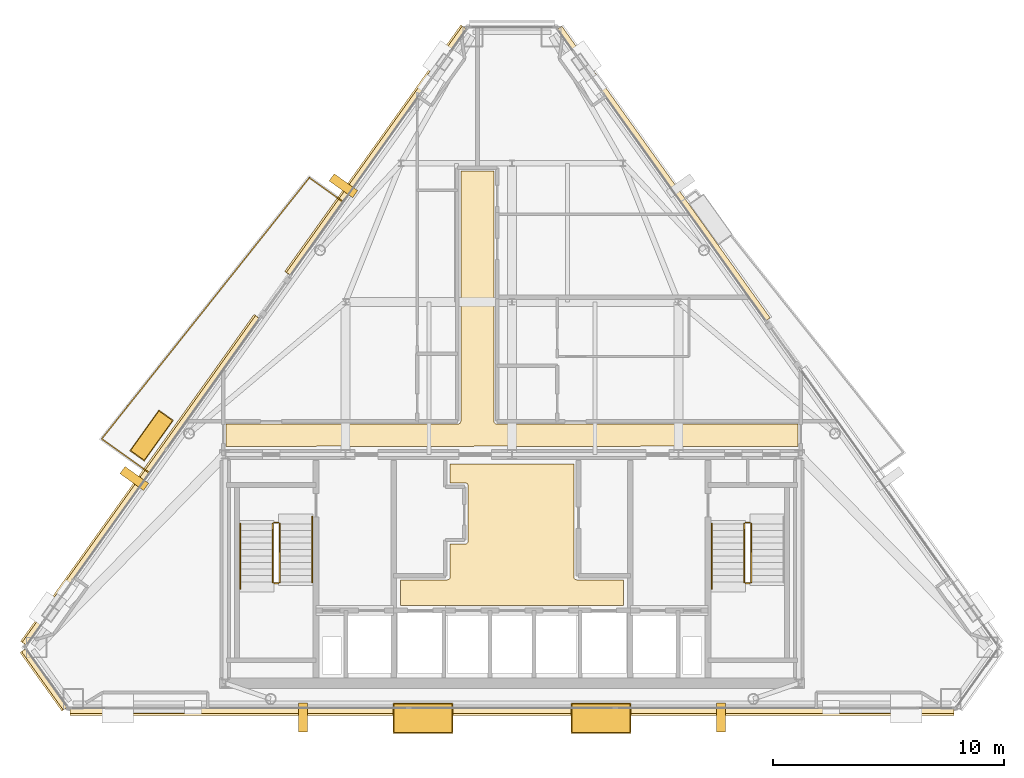
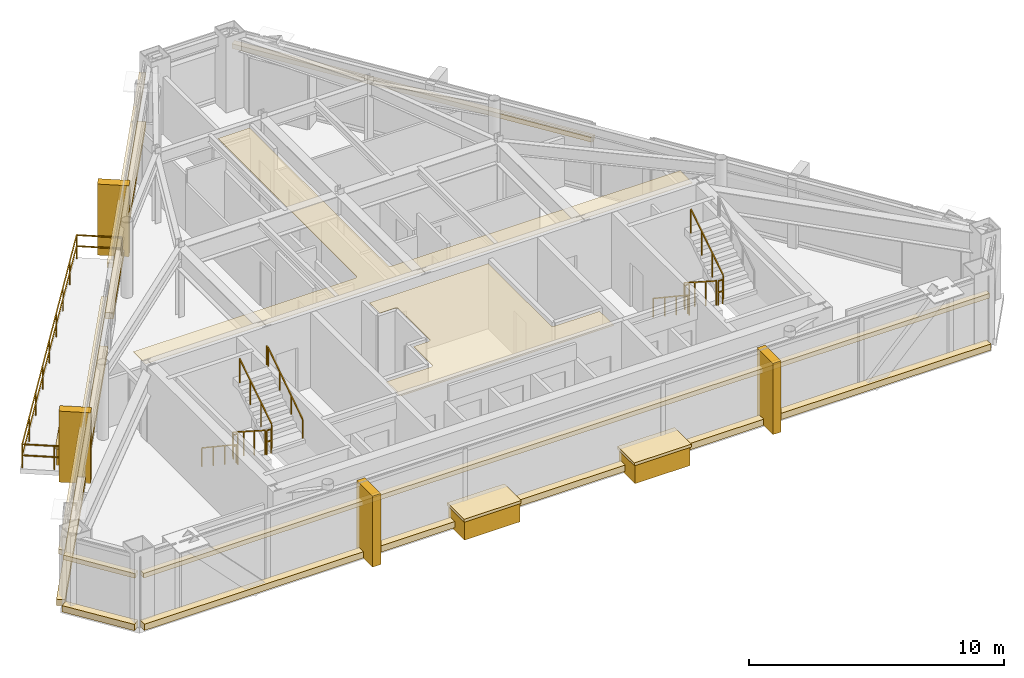
# One storey, part 11 of 12: 21 coverings, 12 railings.
"""IFC4 building model written with IfcOpenShell, lengths in metres."""

import ifcopenshell
import ifcopenshell.guid

model = None  # the IFC model being written
_history = None  # IfcOwnerHistory: only IFC2X3 demands one
_inside = {}  # id of a spatial element -> (the spatial element, [elements in it])
_under = {}  # id of a project, library or spatial element -> (it, [spatial elements below it])
_declared = {}  # id of a project -> (the project, [libraries it declares])
_typed = {}  # id of a type object -> (the type object, [elements of that type])
_made_of = {}  # id of a material, layer set ... -> (it, [elements and type objects made of it])


def new_model(schema):
    """Start an empty IFC model of exactly this schema.

    Asked for "IFC4X3", IfcOpenShell would pick the latest addendum, in which some entities
    have other attributes; the version numbers below select the first issue.
    IFC2X3 requires an IfcOwnerHistory on every rooted entity: one is made here for all.
    """
    global model, _history
    if schema == "IFC4X3":
        model = ifcopenshell.file(schema_version=(4, 3, 0, 0))
    else:
        model = ifcopenshell.file(schema=schema)
    _inside.clear()
    _under.clear()
    _declared.clear()
    _typed.clear()
    _made_of.clear()
    _history = None
    if model.schema == "IFC2X3":
        org = make("IfcOrganization", Name="unknown")
        user = make(
            "IfcPersonAndOrganization",
            ThePerson=make("IfcPerson", FamilyName="unknown"),
            TheOrganization=org,
        )
        app = make(
            "IfcApplication",
            ApplicationDeveloper=org,
            Version="unknown",
            ApplicationFullName="unknown",
            ApplicationIdentifier="unknown",
        )
        _history = make(
            "IfcOwnerHistory",
            OwningUser=user,
            OwningApplication=app,
            ChangeAction="ADDED",
            CreationDate=0,
        )
    return model


def make(cls, **values):
    """One entity of the class cls with the attributes given. An attribute that is None is left unset."""
    return model.create_entity(
        cls, **{name: value for name, value in values.items() if value is not None}
    )


def rooted(cls, **values):
    """An entity with a GlobalId (a new one), such as an element, a storey or a relation."""
    return make(cls, GlobalId=ifcopenshell.guid.new(), OwnerHistory=_history, **values)


def si_unit(unit_type, name, prefix=None):
    """IfcSIUnit, for example si_unit("LENGTHUNIT", "METRE", prefix="MILLI")."""
    return make("IfcSIUnit", UnitType=unit_type, Prefix=prefix, Name=name)


def assignment(units):
    """IfcUnitAssignment: the units of a project."""
    return None if units is None else make("IfcUnitAssignment", Units=units)


def point(xyz):
    """IfcCartesianPoint."""
    return None if xyz is None else make("IfcCartesianPoint", Coordinates=xyz)


def direction(xyz):
    """IfcDirection."""
    return None if xyz is None else make("IfcDirection", DirectionRatios=xyz)


def frame(location, z_axis=None, x_axis=None):
    """IfcAxis2Placement3D, a coordinate frame: its origin and axes. An axis left out is left unset."""
    return make(
        "IfcAxis2Placement3D",
        Location=point(location),
        Axis=direction(z_axis),
        RefDirection=direction(x_axis),
    )


def frame_2d(location, x_axis=None):
    """IfcAxis2Placement2D, a coordinate frame in the plane: its origin and x axis."""
    return make(
        "IfcAxis2Placement2D", Location=point(location), RefDirection=direction(x_axis)
    )


def origin():
    """The frame at (0, 0, 0) with its axes left unset."""
    return frame((0.0, 0.0, 0.0))


def origin_2d():
    """The frame at (0, 0) in the plane with its x axis left unset."""
    return frame_2d((0.0, 0.0))


def place(relative_to, where):
    """IfcLocalPlacement: puts the frame where relative to a parent placement (None: the world)."""
    return make(
        "IfcLocalPlacement", PlacementRelTo=relative_to, RelativePlacement=where
    )


def context(
    kind, dimensions, precision=None, world=None, true_north=None, identifier=None
):
    """IfcGeometricRepresentationContext, for example the 3D "Model" context."""
    return make(
        "IfcGeometricRepresentationContext",
        ContextIdentifier=identifier,
        ContextType=kind,
        CoordinateSpaceDimension=dimensions,
        Precision=precision,
        WorldCoordinateSystem=world,
        TrueNorth=true_north,
    )


def subcontext(parent, identifier, kind, view, scale=None):
    """IfcGeometricRepresentationSubContext, for example "Body" below "Model"."""
    return make(
        "IfcGeometricRepresentationSubContext",
        ContextIdentifier=identifier,
        ContextType=kind,
        ParentContext=parent,
        TargetScale=scale,
        TargetView=view,
    )


def project(units=None, contexts=None):
    """IfcProject with its units and contexts."""
    return rooted(
        "IfcProject",
        Name="project",
        RepresentationContexts=contexts,
        UnitsInContext=assignment(units),
    )


def spatial(cls, under=None, at=None, **own):
    """A site, building, storey or space (cls), placed at a placement, below another one or the project."""
    s = rooted(cls, ObjectPlacement=at, **own)
    if under is not None:
        _under.setdefault(under.id(), (under, []))[1].append(s)
    return s


def polyline(points):
    """IfcPolyline through the points."""
    return make("IfcPolyline", Points=[point(p) for p in points])


def profile(cls, at=None, kind="AREA", **sizes):
    """A parametric profile (cls). Its sizes go by their IFC names, for example OverallWidth=200.0."""
    return make(cls, ProfileType=kind, Position=at, **sizes)


def rectangle(**sizes):
    """IfcRectangleProfileDef."""
    return profile("IfcRectangleProfileDef", **sizes)


def outline(outer, holes=None, kind="AREA"):
    """IfcArbitraryClosedProfileDef: a profile drawn as a closed curve; with holes, ...WithVoids."""
    if holes is None:
        return make("IfcArbitraryClosedProfileDef", ProfileType=kind, OuterCurve=outer)
    return make(
        "IfcArbitraryProfileDefWithVoids",
        ProfileType=kind,
        OuterCurve=outer,
        InnerCurves=holes,
    )


def extrude(swept, where, along, depth):
    """IfcExtrudedAreaSolid: the profile swept, set in the frame where, extruded along a direction by depth."""
    return make(
        "IfcExtrudedAreaSolid",
        SweptArea=swept,
        Position=where,
        ExtrudedDirection=direction(along),
        Depth=depth,
    )


def shape(context_of_items, identifier, shape_type, items):
    """IfcShapeRepresentation: the items that make up one representation, for example the "Body"."""
    return make(
        "IfcShapeRepresentation",
        ContextOfItems=context_of_items,
        RepresentationIdentifier=identifier,
        RepresentationType=shape_type,
        Items=items,
    )


def material(Name=None, Category=None):
    """IfcMaterial."""
    return make("IfcMaterial", Name=Name, Category=Category)


def layer(
    of_material, thickness, ventilated=None, Name=None, Category=None, Priority=None
):
    """IfcMaterialLayer: one layer of a wall or slab, of a material (None: an air gap)."""
    return make(
        "IfcMaterialLayer",
        Material=of_material,
        LayerThickness=thickness,
        IsVentilated=ventilated,
        Name=Name,
        Category=Category,
        Priority=Priority,
    )


def layer_set(layers, Name=None):
    """IfcMaterialLayerSet."""
    return make("IfcMaterialLayerSet", MaterialLayers=layers, LayerSetName=Name)


def made_of(thing, what):
    """Note that an element or type object is made of a material, layer set ...; save() writes the relation."""
    if what is not None:
        _made_of.setdefault(what.id(), (what, []))[1].append(thing)
    return thing


def type_object(cls, material=None, **own):
    """A type object (cls), such as IfcWallType, which elements share."""
    return made_of(rooted(cls, **own), material)


def element(
    cls,
    number,
    at=None,
    inside=None,
    cuts=None,
    type_object=None,
    material=None,
    context=None,
    identifier="Body",
    shape_type=None,
    held_by="IfcProductDefinitionShape",
    body=None,
    shapes=None,
    **own,
):
    """One element of the class cls, such as IfcWall. Its Tag is "e" and its number.

    at: its placement. inside: the storey or other place that contains it. cuts: it is an
    opening in that element (IfcRelVoidsElement). A single representation is given by context,
    identifier, shape_type and body (its items); several are given by shapes. held_by: the class
    of the entity that holds the representations. save() writes the other relations.
    """
    e = rooted(cls, Tag="e%d" % number, ObjectPlacement=at, **own)
    if body is not None:
        shapes = [shape(context, identifier, shape_type, body)]
    if shapes is not None:
        e.Representation = make(held_by, Representations=shapes)
    if inside is not None:
        _inside.setdefault(inside.id(), (inside, []))[1].append(e)
    if cuts is not None:
        rooted(
            "IfcRelVoidsElement", RelatingBuildingElement=cuts, RelatedOpeningElement=e
        )
    if type_object is not None:
        _typed.setdefault(type_object.id(), (type_object, []))[1].append(e)
    return made_of(e, material)


def aggregate(whole, parts):
    """IfcRelAggregates: a whole, such as a stair, and the parts it consists of."""
    return rooted("IfcRelAggregates", RelatingObject=whole, RelatedObjects=parts)


def save(model, path):
    """Write the relations noted so far, then the file.

    IfcRelAggregates (storeys below a building ...), IfcRelContainedInSpatialStructure (elements
    in a storey), IfcRelDefinesByType, IfcRelAssociatesMaterial and IfcRelDeclares: one each for
    every whole, place, type object, material and project.
    """
    for whole, parts in _under.values():
        aggregate(whole, parts)
    for where, things in _inside.values():
        rooted(
            "IfcRelContainedInSpatialStructure",
            RelatedElements=things,
            RelatingStructure=where,
        )
    for kind, things in _typed.values():
        rooted("IfcRelDefinesByType", RelatedObjects=things, RelatingType=kind)
    for what, things in _made_of.values():
        rooted("IfcRelAssociatesMaterial", RelatedObjects=things, RelatingMaterial=what)
    for by, libraries in _declared.values():
        rooted("IfcRelDeclares", RelatingContext=by, RelatedDefinitions=libraries)
    model.write(path)


model = new_model("IFC4")

# Units and contexts
model_context = context("Model", 3, precision=1e-05, world=origin(), true_north=direction((0.0, 1.0)))
body_context = subcontext(model_context, "Body", "Model", "MODEL_VIEW")
ifc_project = project(units=[si_unit("LENGTHUNIT", "METRE"), si_unit("AREAUNIT", "SQUARE_METRE"), si_unit("VOLUMEUNIT", "CUBIC_METRE"), si_unit("PLANEANGLEUNIT", "RADIAN"), si_unit("MASSUNIT", "GRAM", prefix="KILO")], contexts=[model_context])

# Site, building, storey
site_placement = place(None, origin())
site = spatial("IfcSite", under=ifc_project, at=site_placement, CompositionType="ELEMENT")
building_placement = place(site_placement, origin())
building = spatial("IfcBuilding", under=site, at=building_placement, Name="Talgorran Terracotta Tower", CompositionType="ELEMENT")
storey_placement = place(building_placement, frame((0.0, 0.0, 277.800048828125)))
storey = spatial("IfcBuildingStorey", under=building, at=storey_placement, Name="L73", CompositionType="ELEMENT", Elevation=277.800048828125)

# Coverings
ifc_material_1 = material(Name="Kiln-Fired Terracotta Ochre Ceramic", Category="masonry")
ifc_layer_1 = layer(ifc_material_1, 0.179931640625, Name="COV_BAGUETTE_TERRACOTTA_SCREEN")
ifc_layer_set_1 = layer_set([ifc_layer_1], Name="Kiln-Fired Terracotta Ochre Ceramic")
covering_type_1 = type_object("IfcCoveringType", Name="COV_BAGUETTE_TERRACOTTA_SCREEN", PredefinedType="CLADDING", material=ifc_layer_set_1)
covering_1_placement = place(storey_placement, frame((-20.2119140625, -13.916748046875, 2.41015625), z_axis=(0.0, 0.0, 1.0), x_axis=(0.581256971997, -0.813720057824, 0.0)))
element("IfcCovering", 1, at=covering_1_placement, inside=storey, type_object=covering_type_1, Name="L73 Terracotta Baguette Solar Screen Assembly F0", PredefinedType="CLADDING", context=body_context, shape_type="SweptSolid", body=[
    extrude(rectangle(XDim=3.093994140625, YDim=0.260009765625, at=origin_2d()), origin(), (0.0, 0.0, 1.0), 0.219970703125),
])
covering_2_placement = place(storey_placement, frame((0.0, -15.2744140625, 2.41015625), z_axis=(0.0, 0.0, 1.0), x_axis=(1.0, 0.0, 0.0)))
element("IfcCovering", 2, at=covering_2_placement, inside=storey, type_object=covering_type_1, Name="L73 Terracotta Baguette Solar Screen Assembly F1", PredefinedType="CLADDING", context=body_context, shape_type="SweptSolid", body=[
    extrude(rectangle(XDim=38.240966796875, YDim=0.260009765625, at=origin_2d()), origin(), (0.0, 0.0, 1.0), 0.219970703125),
])
covering_3_placement = place(storey_placement, frame((6.556396484375, 7.947998046875, 2.41015625), z_axis=(0.0, 0.0, 1.0), x_axis=(-0.581242769814, 0.813730202548, 0.0)))
element("IfcCovering", 3, at=covering_3_placement, inside=storey, type_object=covering_type_1, Name="L73 Terracotta Baguette Solar Screen Assembly F41", PredefinedType="CLADDING", context=body_context, shape_type="SweptSolid", body=[
    extrude(rectangle(XDim=15.509033203125, YDim=0.260009765625, at=origin_2d()), origin(), (0.0, 0.0, 1.0), 0.219970703125),
])
covering_4_placement = place(storey_placement, frame((-5.853515625, 8.931884765625, 2.41015625), z_axis=(0.0, 0.0, 1.0), x_axis=(-0.581242769814, -0.813730202548, 0.0)))
element("IfcCovering", 4, at=covering_4_placement, inside=storey, type_object=covering_type_1, Name="L73 Terracotta Baguette Solar Screen Assembly F60", PredefinedType="CLADDING", context=body_context, shape_type="SweptSolid", body=[
    extrude(rectangle(XDim=13.091064453125, YDim=0.260009765625, at=origin_2d()), origin(), (0.0, 0.0, 1.0), 0.219970703125),
])
covering_5_placement = place(storey_placement, frame((-16.04150390625, -5.33056640625, 2.41015625), z_axis=(0.0, 0.0, 1.0), x_axis=(-0.581242769814, -0.813730202548, 0.0)))
element("IfcCovering", 5, at=covering_5_placement, inside=storey, type_object=covering_type_1, Name="L73 Terracotta Baguette Solar Screen Assembly F61", PredefinedType="CLADDING", context=body_context, shape_type="SweptSolid", body=[
    extrude(rectangle(XDim=17.363525390625, YDim=0.260009765625, at=origin_2d()), origin(), (0.0, 0.0, 1.0), 0.219970703125),
])
ifc_material_2 = material(Name="Mineral Fibre Acoustic Tile")
ifc_layer_2 = layer(ifc_material_2, 0.02490234375, Name="COV_CEIL_ACOUSTIC")
ifc_layer_set_2 = layer_set([ifc_layer_2], Name="Mineral Fibre Acoustic Tile")
covering_type_2 = type_object("IfcCoveringType", Name="COV_CEIL_ACOUSTIC", PredefinedType="CEILING", material=ifc_layer_set_2)
covering_6_placement = place(storey_placement, frame((0.0, 0.0, 3.2548828125)))
element("IfcCovering", 6, at=covering_6_placement, inside=storey, type_object=covering_type_2, Name="CEIL-L73-2", PredefinedType="CEILING", context=body_context, shape_type="SweptSolid", body=[
    extrude(outline(polyline([(-12.364990234375, -2.885009765625), (-2.35009765625, -2.885009765625), (-2.33837890625, -2.884521484375), (-2.32666015625, -2.8828125), (-2.3154296875, -2.8798828125), (-2.30712890625, -2.87744140625), (-2.2958984375, -2.87353515625), (-2.285400390625, -2.868408203125), (-2.275146484375, -2.8623046875), (-2.265625, -2.85546875), (-2.257080078125, -2.847412109375), (-2.2490234375, -2.8388671875), (-2.243408203125, -2.83203125), (-2.236328125, -2.822509765625), (-2.230224609375, -2.8125), (-2.225341796875, -2.8017578125), (-2.22119140625, -2.79052734375), (-2.218505859375, -2.779296875), (-2.216796875, -2.767578125), (-2.216064453125, -2.755615234375), (-2.215087890625, 8.06494140625), (-0.784912109375, 8.06494140625), (-0.784912109375, -2.75), (-0.784423828125, -2.76171875), (-0.78271484375, -2.773193359375), (-0.77978515625, -2.78466796875), (-0.77734375, -2.79296875), (-0.7734375, -2.803955078125), (-0.768310546875, -2.814697265625), (-0.762451171875, -2.82470703125), (-0.75537109375, -2.834228515625), (-0.74755859375, -2.843017578125), (-0.73876953125, -2.850830078125), (-0.73193359375, -2.8564453125), (-0.722412109375, -2.863525390625), (-0.71240234375, -2.86962890625), (-0.70166015625, -2.874755859375), (-0.690673828125, -2.878662109375), (-0.67919921875, -2.881591796875), (-0.66748046875, -2.88330078125), (-0.65576171875, -2.8837890625), (12.364990234375, -2.885009765625), (12.364990234375, -3.844970703125), (7.432861328125, -3.844970703125), (6.968017578125, -3.843017578125), (6.967529296875, -3.843017578125), (0.232666015625, -3.844970703125), (-0.23193359375, -3.843017578125), (-0.232421875, -3.843017578125), (-6.96728515625, -3.844970703125), (-7.431884765625, -3.843017578125), (-7.4326171875, -3.843017578125), (-12.364990234375, -3.844970703125), (-12.364990234375, -2.885009765625)])), origin(), (0.0, 0.0, 1.0), 0.02001953125),
])
ifc_material_3 = material(Name="Flush Moisture-Resistant Plaster")
ifc_layer_3 = layer(ifc_material_3, 0.01806640625, Name="COV_CEIL_PLASTER")
ifc_layer_set_3 = layer_set([ifc_layer_3], Name="Flush Moisture-Resistant Plaster")
covering_type_3 = type_object("IfcCoveringType", Name="COV_CEIL_PLASTER", PredefinedType="CEILING", material=ifc_layer_set_3)
covering_7_placement = place(storey_placement, frame((0.0, 0.0, 3.2548828125)))
element("IfcCovering", 7, at=covering_7_placement, inside=storey, type_object=covering_type_3, Name="CEIL-L73-1", PredefinedType="CEILING", context=body_context, shape_type="SweptSolid", body=[
    extrude(outline(polyline([(2.679931640625, -4.6201171875), (2.679931640625, -9.5), (2.6806640625, -9.51171875), (2.682373046875, -9.5234375), (2.685302734375, -9.534912109375), (2.689208984375, -9.5458984375), (2.694091796875, -9.556640625), (2.7001953125, -9.566650390625), (2.707275390625, -9.576171875), (2.715087890625, -9.5849609375), (2.723876953125, -9.5927734375), (2.7333984375, -9.599853515625), (2.743408203125, -9.605712890625), (2.754150390625, -9.61083984375), (2.76513671875, -9.61474609375), (2.776611328125, -9.61767578125), (2.7880859375, -9.619384765625), (2.800048828125, -9.6201171875), (4.830078125, -9.6201171875), (4.830078125, -10.72998046875), (-4.830078125, -10.72998046875), (-4.830078125, -9.6201171875), (-2.800048828125, -9.6201171875), (-2.7880859375, -9.619384765625), (-2.776611328125, -9.61767578125), (-2.76513671875, -9.61474609375), (-2.754150390625, -9.61083984375), (-2.743408203125, -9.605712890625), (-2.7333984375, -9.599853515625), (-2.723876953125, -9.5927734375), (-2.715087890625, -9.5849609375), (-2.707275390625, -9.576171875), (-2.7001953125, -9.566650390625), (-2.694091796875, -9.556640625), (-2.689208984375, -9.5458984375), (-2.685302734375, -9.534912109375), (-2.682373046875, -9.5234375), (-2.6806640625, -9.51171875), (-2.679931640625, -9.5), (-2.679931640625, -8.070068359375), (-2.02001953125, -8.070068359375), (-2.00830078125, -8.0693359375), (-1.99658203125, -8.067626953125), (-1.985107421875, -8.064697265625), (-1.97412109375, -8.060791015625), (-1.96337890625, -8.055908203125), (-1.953369140625, -8.0498046875), (-1.94384765625, -8.042724609375), (-1.93505859375, -8.034912109375), (-1.92724609375, -8.026123046875), (-1.920166015625, -8.0166015625), (-1.914306640625, -8.006591796875), (-1.9091796875, -7.995849609375), (-1.9052734375, -7.98486328125), (-1.90234375, -7.973388671875), (-1.900634765625, -7.9619140625), (-1.89990234375, -7.949951171875), (-1.89990234375, -5.550048828125), (-1.900634765625, -5.5380859375), (-1.90234375, -5.526611328125), (-1.9052734375, -5.51513671875), (-1.9091796875, -5.504150390625), (-1.914306640625, -5.493408203125), (-1.920166015625, -5.4833984375), (-1.92724609375, -5.473876953125), (-1.93505859375, -5.465087890625), (-1.94384765625, -5.457275390625), (-1.953369140625, -5.4501953125), (-1.96337890625, -5.444091796875), (-1.97412109375, -5.439208984375), (-1.985107421875, -5.435302734375), (-1.99658203125, -5.432373046875), (-2.00830078125, -5.4306640625), (-2.02001953125, -5.429931640625), (-2.679931640625, -5.429931640625), (-2.679931640625, -4.6201171875), (2.679931640625, -4.6201171875)])), origin(), (0.0, 0.0, 1.0), 0.02001953125),
])
ifc_material_4 = material(Name="Honed Limestone and Terracotta Planter", Category="masonry")
ifc_layer_4 = layer(ifc_material_4, 0.1201171875, Name="COV_PLANTER_BOX")
ifc_layer_set_4 = layer_set([ifc_layer_4], Name="Honed Limestone and Terracotta Planter")
covering_type_4 = type_object("IfcCoveringType", Name="COV_PLANTER_BOX", PredefinedType="CLADDING", material=ifc_layer_set_4)
for number, where, z_axis, x_axis, name in (
    (8, (-3.8505859375, -15.614501953125, -0.179931640625), (0.0, 0.0, 1.0), (1.0, 0.0, 0.0), "L73 Staggered South Facade Planter Box 1"),
    (9, (3.8505859375, -15.614501953125, -0.179931640625), (0.0, 0.0, 1.0), (1.0, 0.0, 0.0), "L73 Staggered South Facade Planter Box 2"),
):
    element("IfcCovering", number, at=place(storey_placement, frame(where, z_axis=z_axis, x_axis=x_axis)), inside=storey, type_object=covering_type_4, Name=name, PredefinedType="CLADDING", context=body_context, shape_type="SweptSolid", body=[
        extrude(rectangle(XDim=2.5, YDim=1.25, at=origin_2d()), origin(), (0.0, 0.0, 1.0), 0.919921875),
    ])
covering_8_placement = place(storey_placement, frame((-15.5947265625, -3.38037109375, -0.02001953125), z_axis=(0.0, 0.0, 1.0), x_axis=(-0.581256971997, -0.813720057824, 0.0)))
element("IfcCovering", 10, at=covering_8_placement, inside=storey, type_object=covering_type_4, Name="L73 Staggered Balcony Planter Box BAL-NW", PredefinedType="CLADDING", context=body_context, shape_type="SweptSolid", body=[
    extrude(rectangle(XDim=2.10009765625, YDim=0.719970703125, at=origin_2d()), origin(), (0.0, 0.0, 1.0), 0.860107421875),
])
ifc_material_5 = material(Name="Kiln-Fired Terracotta Planter Rim", Category="masonry")
ifc_layer_5 = layer(ifc_material_5, 0.10009765625, Name="COV_PLANTER_RIM")
ifc_layer_set_5 = layer_set([ifc_layer_5], Name="Kiln-Fired Terracotta Planter Rim")
covering_type_5 = type_object("IfcCoveringType", Name="COV_PLANTER_RIM", PredefinedType="CLADDING", material=ifc_layer_set_5)
for number, where, z_axis, x_axis, name in (
    (11, (-3.8505859375, -15.614501953125, 0.7099609375), (0.0, 0.0, 1.0), (1.0, 0.0, 0.0), "L73 South Planter Terracotta Rim 1"),
    (12, (3.8505859375, -15.614501953125, 0.7099609375), (0.0, 0.0, 1.0), (1.0, 0.0, 0.0), "L73 South Planter Terracotta Rim 2"),
):
    element("IfcCovering", number, at=place(storey_placement, frame(where, z_axis=z_axis, x_axis=x_axis)), inside=storey, type_object=covering_type_5, Name=name, PredefinedType="CLADDING", context=body_context, shape_type="SweptSolid", body=[
        extrude(rectangle(XDim=2.580078125, YDim=1.320068359375, at=origin_2d()), origin(), (0.0, 0.0, 1.0), 0.139892578125),
    ])
covering_9_placement = place(storey_placement, frame((-15.5947265625, -3.38037109375, 0.7998046875), z_axis=(0.0, 0.0, 1.0), x_axis=(-0.581256971997, -0.813720057824, 0.0)))
element("IfcCovering", 13, at=covering_9_placement, inside=storey, type_object=covering_type_5, Name="L73 Balcony Planter Terracotta Rim BAL-NW", PredefinedType="CLADDING", context=body_context, shape_type="SweptSolid", body=[
    extrude(rectangle(XDim=2.179931640625, YDim=0.780029296875, at=origin_2d()), origin(), (0.0, 0.0, 1.0), 0.1201171875),
])
ifc_material_6 = material(Name="Honed Limestone Cladding", Category="masonry")
ifc_layer_6 = layer(ifc_material_6, 0.094970703125, Name="COV_PORTAL_LIME")
ifc_layer_set_6 = layer_set([ifc_layer_6], Name="Honed Limestone Cladding")
covering_type_6 = type_object("IfcCoveringType", Name="COV_PORTAL_LIME", PredefinedType="CLADDING", material=ifc_layer_set_6)
for number, where, z_axis, x_axis, name in (
    (14, (-9.048583984375, -15.574462890625, -0.050048828125), (0.0, 0.0, 1.0), (1.0, 0.0, 0.0), "L73 White Striped Portal Fin F1-1"),
    (15, (-7.295166015625, 7.429931640625, -0.050048828125), (0.0, 0.0, 1.0), (-0.581256971997, -0.813720057824, 0.0), "L73 White Striped Portal Fin F5-1"),
):
    element("IfcCovering", number, at=place(storey_placement, frame(where, z_axis=z_axis, x_axis=x_axis)), inside=storey, type_object=covering_type_6, Name=name, PredefinedType="CLADDING", context=body_context, shape_type="SweptSolid", body=[
        extrude(rectangle(XDim=0.3798828125, YDim=1.25, at=origin_2d()), origin(), (0.0, 0.0, 1.0), 3.39501953125),
    ])
ifc_material_7 = material(Name="Kiln-Fired Terracotta Cladding", Category="masonry")
ifc_layer_7 = layer(ifc_material_7, 0.090087890625, Name="COV_PORTAL_TERRA")
ifc_layer_set_7 = layer_set([ifc_layer_7], Name="Kiln-Fired Terracotta Cladding")
covering_type_7 = type_object("IfcCoveringType", Name="COV_PORTAL_TERRA", PredefinedType="CLADDING", material=ifc_layer_set_7)
covering_10_placement = place(storey_placement, frame((-20.244384765625, -13.93994140625, -0.0400390625), z_axis=(0.0, 0.0, 1.0), x_axis=(0.581256971997, -0.813720057824, 0.0)))
element("IfcCovering", 16, at=covering_10_placement, inside=storey, type_object=covering_type_7, Name="L73 Striped Postmodern Portal Cladding Band F0", PredefinedType="CLADDING", context=body_context, shape_type="SweptSolid", body=[
    extrude(rectangle(XDim=3.114013671875, YDim=0.340087890625, at=origin_2d()), origin(), (0.0, 0.0, 1.0), 0.300048828125),
])
covering_11_placement = place(storey_placement, frame((0.0, -15.314453125, -0.0400390625), z_axis=(0.0, 0.0, 1.0), x_axis=(1.0, 0.0, 0.0)))
element("IfcCovering", 17, at=covering_11_placement, inside=storey, type_object=covering_type_7, Name="L73 Striped Postmodern Portal Cladding Band F1", PredefinedType="CLADDING", context=body_context, shape_type="SweptSolid", body=[
    extrude(rectangle(XDim=38.260986328125, YDim=0.340087890625, at=origin_2d()), origin(), (0.0, 0.0, 1.0), 0.300048828125),
])
covering_12_placement = place(storey_placement, frame((-5.88623046875, 8.955078125, -0.0400390625), z_axis=(0.0, 0.0, 1.0), x_axis=(-0.581242769814, -0.813730202548, 0.0)))
element("IfcCovering", 18, at=covering_12_placement, inside=storey, type_object=covering_type_7, Name="L73 Striped Postmodern Portal Cladding Band F60", PredefinedType="CLADDING", context=body_context, shape_type="SweptSolid", body=[
    extrude(rectangle(XDim=13.111083984375, YDim=0.340087890625, at=origin_2d()), origin(), (0.0, 0.0, 1.0), 0.300048828125),
])
covering_13_placement = place(storey_placement, frame((-16.073974609375, -5.307373046875, -0.0400390625), z_axis=(0.0, 0.0, 1.0), x_axis=(-0.581242769814, -0.813730202548, 0.0)))
element("IfcCovering", 19, at=covering_13_placement, inside=storey, type_object=covering_type_7, Name="L73 Striped Postmodern Portal Cladding Band F61", PredefinedType="CLADDING", context=body_context, shape_type="SweptSolid", body=[
    extrude(rectangle(XDim=17.383544921875, YDim=0.340087890625, at=origin_2d()), origin(), (0.0, 0.0, 1.0), 0.300048828125),
])
for number, where, z_axis, x_axis, name in (
    (20, (9.048583984375, -15.574462890625, -0.050048828125), (0.0, 0.0, 1.0), (1.0, 0.0, 0.0), "L73 Terracotta Striped Portal Fin F1-2"),
    (21, (-16.34375, -5.23779296875, -0.050048828125), (0.0, 0.0, 1.0), (-0.581256971997, -0.813720057824, 0.0), "L73 Terracotta Striped Portal Fin F5-2"),
):
    element("IfcCovering", number, at=place(storey_placement, frame(where, z_axis=z_axis, x_axis=x_axis)), inside=storey, type_object=covering_type_7, Name=name, PredefinedType="CLADDING", context=body_context, shape_type="SweptSolid", body=[
        extrude(rectangle(XDim=0.3798828125, YDim=1.25, at=origin_2d()), origin(), (0.0, 0.0, 1.0), 3.39501953125),
    ])

# Railings
ifc_material_8 = material(Name="Laminated Glass and Stainless Steel 316", Category="steel")
railing_type_1 = type_object("IfcRailingType", Name="RL_BALCONY_1150", PredefinedType="BALUSTRADE", material=ifc_material_8)
railing_1_placement = place(storey_placement, frame((-7.3212890625, 6.739501953125, 0.0)))
element("IfcRailing", 22, at=railing_1_placement, inside=storey, type_object=railing_type_1, Name="RL-L73-BAL-BAL-NW", PredefinedType="BALUSTRADE", context=body_context, shape_type="SweptSolid", body=[
    extrude(rectangle(XDim=0.048095703125, YDim=0.048095703125, at=origin_2d()), frame((0.0, 0.0, 1.1259765625), z_axis=(-0.813687151132, 0.581303036361, 0.0), x_axis=(-0.581303036361, -0.813687151132, 0.0)), (0.0, 0.0, 1.0), 1.78076171875),
    extrude(rectangle(XDim=0.048095703125, YDim=0.048095703125, at=origin_2d()), frame((0.0, 0.0, 0.597900390625), z_axis=(-0.813687151132, 0.581303036361, 0.0), x_axis=(-0.581303036361, -0.813687151132, 0.0)), (0.0, 0.0, 1.0), 1.78076171875),
    extrude(rectangle(XDim=0.048095703125, YDim=0.048095703125, at=origin_2d()), frame((-1.448974609375, 1.03515625, 1.1259765625), z_axis=(-0.62224332818, -0.782823888583, 0.0), x_axis=(0.782823888583, -0.62224332818, 0.0)), (0.0, 0.0, 1.0), 14.432861328125),
    extrude(rectangle(XDim=0.048095703125, YDim=0.048095703125, at=origin_2d()), frame((-1.448974609375, 1.03515625, 0.597900390625), z_axis=(-0.62224332818, -0.782823888583, 0.0), x_axis=(0.782823888583, -0.62224332818, 0.0)), (0.0, 0.0, 1.0), 14.432861328125),
    extrude(rectangle(XDim=0.048095703125, YDim=0.048095703125, at=origin_2d()), frame((-10.4296875, -10.26318359375, 1.1259765625), z_axis=(0.813726928848, -0.581247352912, 0.0), x_axis=(0.581247352912, 0.813726928848, 0.0)), (0.0, 0.0, 1.0), 2.521484375),
    extrude(rectangle(XDim=0.048095703125, YDim=0.048095703125, at=origin_2d()), frame((-10.4296875, -10.26318359375, 0.597900390625), z_axis=(0.813726928848, -0.581247352912, 0.0), x_axis=(0.581247352912, 0.813726928848, 0.0)), (0.0, 0.0, 1.0), 2.521484375),
    extrude(rectangle(XDim=0.0419921875, YDim=0.0419921875, at=origin_2d()), origin(), (0.0, 0.0, 1.0), 1.101806640625),
    extrude(rectangle(XDim=0.0419921875, YDim=0.0419921875, at=origin_2d()), frame((-1.448974609375, 1.03515625, 0.0)), (0.0, 0.0, 1.0), 1.101806640625),
    extrude(rectangle(XDim=0.0419921875, YDim=0.0419921875, at=origin_2d()), frame((-2.571533203125, -0.377197265625, 0.0)), (0.0, 0.0, 1.0), 1.101806640625),
    extrude(rectangle(XDim=0.0419921875, YDim=0.0419921875, at=origin_2d()), frame((-3.694091796875, -1.78955078125, 0.0)), (0.0, 0.0, 1.0), 1.101806640625),
    extrude(rectangle(XDim=0.0419921875, YDim=0.0419921875, at=origin_2d()), frame((-4.816650390625, -3.20166015625, 0.0)), (0.0, 0.0, 1.0), 1.101806640625),
    extrude(rectangle(XDim=0.0419921875, YDim=0.0419921875, at=origin_2d()), frame((-5.939453125, -4.614013671875, 0.0)), (0.0, 0.0, 1.0), 1.101806640625),
    extrude(rectangle(XDim=0.0419921875, YDim=0.0419921875, at=origin_2d()), frame((-7.06201171875, -6.0263671875, 0.0)), (0.0, 0.0, 1.0), 1.101806640625),
    extrude(rectangle(XDim=0.0419921875, YDim=0.0419921875, at=origin_2d()), frame((-8.1845703125, -7.4384765625, 0.0)), (0.0, 0.0, 1.0), 1.101806640625),
    extrude(rectangle(XDim=0.0419921875, YDim=0.0419921875, at=origin_2d()), frame((-9.30712890625, -8.850830078125, 0.0)), (0.0, 0.0, 1.0), 1.101806640625),
    extrude(rectangle(XDim=0.0419921875, YDim=0.0419921875, at=origin_2d()), frame((-10.4296875, -10.26318359375, 0.0)), (0.0, 0.0, 1.0), 1.101806640625),
    extrude(rectangle(XDim=0.0419921875, YDim=0.0419921875, at=origin_2d()), frame((-9.40380859375, -10.99609375, 0.0)), (0.0, 0.0, 1.0), 1.101806640625),
    extrude(rectangle(XDim=0.0419921875, YDim=0.0419921875, at=origin_2d()), frame((-8.3779296875, -11.728759765625, 0.0)), (0.0, 0.0, 1.0), 1.101806640625),
])
ifc_material_9 = material(Name="Steel S355 (300PLUS)", Category="steel")
railing_type_2 = type_object("IfcRailingType", Name="RL_HANDRAIL_920", PredefinedType="HANDRAIL", material=ifc_material_9)
railing_2_placement = place(storey_placement, frame((-11.75, -7.199951171875, 0.179931640625)))
element("IfcRailing", 23, at=railing_2_placement, inside=storey, type_object=railing_type_2, Name="L73 ST-01 stair handrail 1", PredefinedType="HANDRAIL", context=body_context, shape_type="SweptSolid", body=[
    extrude(rectangle(XDim=0.048095703125, YDim=0.048095703125, at=origin_2d()), frame((0.0, 0.0, 0.89599609375), z_axis=(0.0, -0.832038719335, 0.554717558338), x_axis=(1.0, 0.0, 0.0)), (0.0, 0.0, 1.0), 3.244873046875),
    extrude(rectangle(XDim=0.048095703125, YDim=0.048095703125, at=origin_2d()), frame((0.0, -2.699951171875, 2.69580078125), z_axis=(0.0, -1.0, 0.0), x_axis=(1.0, 0.0, 0.0)), (0.0, 0.0, 1.0), 0.1201171875),
    extrude(rectangle(XDim=0.0419921875, YDim=0.0419921875, at=origin_2d()), origin(), (0.0, 0.0, 1.0), 0.871826171875),
    extrude(rectangle(XDim=0.0419921875, YDim=0.0419921875, at=origin_2d()), frame((0.0, -0.89990234375, 0.60009765625)), (0.0, 0.0, 1.0), 0.871826171875),
    extrude(rectangle(XDim=0.0419921875, YDim=0.0419921875, at=origin_2d()), frame((0.0, -1.800048828125, 1.199951171875)), (0.0, 0.0, 1.0), 0.871826171875),
    extrude(rectangle(XDim=0.0419921875, YDim=0.0419921875, at=origin_2d()), frame((0.0, -2.699951171875, 1.800048828125)), (0.0, 0.0, 1.0), 0.871826171875),
    extrude(rectangle(XDim=0.0419921875, YDim=0.0419921875, at=origin_2d()), frame((0.0, -2.820068359375, 1.800048828125)), (0.0, 0.0, 1.0), 0.871826171875),
])
railing_3_placement = place(storey_placement, frame((-8.64990234375, -9.719970703125, 1.97998046875)))
element("IfcRailing", 24, at=railing_3_placement, inside=storey, type_object=railing_type_2, Name="L73 ST-01 stair handrail 2", PredefinedType="HANDRAIL", context=body_context, shape_type="SweptSolid", body=[
    extrude(rectangle(XDim=0.048095703125, YDim=0.048095703125, at=origin_2d()), frame((0.0, 0.0, 0.89599609375), z_axis=(0.0, 0.832038719335, 0.554717558338), x_axis=(-1.0, 0.0, 0.0)), (0.0, 0.0, 1.0), 3.244873046875),
    extrude(rectangle(XDim=0.048095703125, YDim=0.048095703125, at=origin_2d()), frame((0.0, 2.699951171875, 2.69580078125), z_axis=(0.0, 1.0, 0.0), x_axis=(-1.0, 0.0, 0.0)), (0.0, 0.0, 1.0), 0.1201171875),
    extrude(rectangle(XDim=0.0419921875, YDim=0.0419921875, at=origin_2d()), origin(), (0.0, 0.0, 1.0), 0.871826171875),
    extrude(rectangle(XDim=0.0419921875, YDim=0.0419921875, at=origin_2d()), frame((0.0, 0.89990234375, 0.60009765625)), (0.0, 0.0, 1.0), 0.871826171875),
    extrude(rectangle(XDim=0.0419921875, YDim=0.0419921875, at=origin_2d()), frame((0.0, 1.800048828125, 1.199951171875)), (0.0, 0.0, 1.0), 0.871826171875),
    extrude(rectangle(XDim=0.0419921875, YDim=0.0419921875, at=origin_2d()), frame((0.0, 2.699951171875, 1.800048828125)), (0.0, 0.0, 1.0), 0.871826171875),
    extrude(rectangle(XDim=0.0419921875, YDim=0.0419921875, at=origin_2d()), frame((0.0, 2.820068359375, 1.800048828125)), (0.0, 0.0, 1.0), 0.871826171875),
])
railing_4_placement = place(storey_placement, frame((8.64990234375, -7.199951171875, 0.179931640625)))
element("IfcRailing", 25, at=railing_4_placement, inside=storey, type_object=railing_type_2, Name="L73 ST-02 stair handrail 1", PredefinedType="HANDRAIL", context=body_context, shape_type="SweptSolid", body=[
    extrude(rectangle(XDim=0.048095703125, YDim=0.048095703125, at=origin_2d()), frame((0.0, 0.0, 0.89599609375), z_axis=(0.0, -0.832038719335, 0.554717558338), x_axis=(1.0, 0.0, 0.0)), (0.0, 0.0, 1.0), 3.244873046875),
    extrude(rectangle(XDim=0.048095703125, YDim=0.048095703125, at=origin_2d()), frame((0.0, -2.699951171875, 2.69580078125), z_axis=(0.0, -1.0, 0.0), x_axis=(1.0, 0.0, 0.0)), (0.0, 0.0, 1.0), 0.1201171875),
    extrude(rectangle(XDim=0.0419921875, YDim=0.0419921875, at=origin_2d()), origin(), (0.0, 0.0, 1.0), 0.871826171875),
    extrude(rectangle(XDim=0.0419921875, YDim=0.0419921875, at=origin_2d()), frame((0.0, -0.89990234375, 0.60009765625)), (0.0, 0.0, 1.0), 0.871826171875),
    extrude(rectangle(XDim=0.0419921875, YDim=0.0419921875, at=origin_2d()), frame((0.0, -1.800048828125, 1.199951171875)), (0.0, 0.0, 1.0), 0.871826171875),
    extrude(rectangle(XDim=0.0419921875, YDim=0.0419921875, at=origin_2d()), frame((0.0, -2.699951171875, 1.800048828125)), (0.0, 0.0, 1.0), 0.871826171875),
    extrude(rectangle(XDim=0.0419921875, YDim=0.0419921875, at=origin_2d()), frame((0.0, -2.820068359375, 1.800048828125)), (0.0, 0.0, 1.0), 0.871826171875),
])
railing_type_3 = type_object("IfcRailingType", Name="RL_STAIR_GUARD", PredefinedType="GUARDRAIL", material=ifc_material_9)
railing_5_placement = place(storey_placement, frame((-10.35009765625, -7.199951171875, 0.179931640625)))
element("IfcRailing", 26, at=railing_5_placement, inside=storey, type_object=railing_type_3, Name="L73 ST-01 stair guard 1", PredefinedType="GUARDRAIL", context=body_context, shape_type="SweptSolid", body=[
    extrude(rectangle(XDim=0.048095703125, YDim=0.048095703125, at=origin_2d()), frame((0.0, 0.0, 1.15576171875), z_axis=(0.0, -0.841162588446, 0.540782303519), x_axis=(1.0, 0.0, 0.0)), (0.0, 0.0, 1.0), 2.995849609375),
    extrude(rectangle(XDim=0.0419921875, YDim=0.0419921875, at=origin_2d()), origin(), (0.0, 0.0, 1.0), 1.1318359375),
    extrude(rectangle(XDim=0.0419921875, YDim=0.0419921875, at=origin_2d()), frame((0.0, -0.840087890625, 0.5400390625)), (0.0, 0.0, 1.0), 1.1318359375),
    extrude(rectangle(XDim=0.0419921875, YDim=0.0419921875, at=origin_2d()), frame((0.0, -1.679931640625, 1.080078125)), (0.0, 0.0, 1.0), 1.1318359375),
    extrude(rectangle(XDim=0.0419921875, YDim=0.0419921875, at=origin_2d()), frame((0.0, -2.52001953125, 1.6201171875)), (0.0, 0.0, 1.0), 1.1318359375),
])
railing_6_placement = place(storey_placement, frame((-10.300048828125, -9.77001953125, 1.800048828125)))
element("IfcRailing", 27, at=railing_6_placement, inside=storey, type_object=railing_type_3, Name="L73 ST-01 stair guard 2", PredefinedType="GUARDRAIL", context=body_context, shape_type="SweptSolid", body=[
    extrude(rectangle(XDim=0.048095703125, YDim=0.048095703125, at=origin_2d()), frame((0.0, 0.0, 1.15576171875), z_axis=(1.0, 0.0, 0.0), x_axis=(0.0, 1.0, 0.0)), (0.0, 0.0, 1.0), 0.199951171875),
    extrude(rectangle(XDim=0.048095703125, YDim=0.048095703125, at=origin_2d()), frame((0.0, 0.0, 0.613525390625), z_axis=(1.0, 0.0, 0.0), x_axis=(0.0, 1.0, 0.0)), (0.0, 0.0, 1.0), 0.199951171875),
    extrude(rectangle(XDim=0.0419921875, YDim=0.0419921875, at=origin_2d()), origin(), (0.0, 0.0, 1.0), 1.1318359375),
    extrude(rectangle(XDim=0.0419921875, YDim=0.0419921875, at=origin_2d()), frame((0.199951171875, 0.0, 0.0)), (0.0, 0.0, 1.0), 1.1318359375),
])
railing_7_placement = place(storey_placement, frame((-10.050048828125, -9.719970703125, 1.97998046875)))
element("IfcRailing", 28, at=railing_7_placement, inside=storey, type_object=railing_type_3, Name="L73 ST-01 stair guard 3", PredefinedType="GUARDRAIL", context=body_context, shape_type="SweptSolid", body=[
    extrude(rectangle(XDim=0.048095703125, YDim=0.048095703125, at=origin_2d()), frame((0.0, 0.0, 1.15576171875), z_axis=(0.0, 0.841199657755, 0.540724639528), x_axis=(-1.0, 0.0, 0.0)), (0.0, 0.0, 1.0), 2.995849609375),
    extrude(rectangle(XDim=0.0419921875, YDim=0.0419921875, at=origin_2d()), origin(), (0.0, 0.0, 1.0), 1.1318359375),
    extrude(rectangle(XDim=0.0419921875, YDim=0.0419921875, at=origin_2d()), frame((0.0, 0.840087890625, 0.5400390625)), (0.0, 0.0, 1.0), 1.1318359375),
    extrude(rectangle(XDim=0.0419921875, YDim=0.0419921875, at=origin_2d()), frame((0.0, 1.679931640625, 1.079833984375)), (0.0, 0.0, 1.0), 1.1318359375),
    extrude(rectangle(XDim=0.0419921875, YDim=0.0419921875, at=origin_2d()), frame((0.0, 2.52001953125, 1.619873046875)), (0.0, 0.0, 1.0), 1.1318359375),
])
railing_8_placement = place(storey_placement, frame((-10.300048828125, -7.14990234375, 0.0)))
element("IfcRailing", 29, at=railing_8_placement, inside=storey, type_object=railing_type_3, Name="L73 ST-01 stair guard 4", PredefinedType="GUARDRAIL", context=body_context, shape_type="SweptSolid", body=[
    extrude(rectangle(XDim=0.048095703125, YDim=0.048095703125, at=origin_2d()), frame((0.0, 0.0, 1.15576171875), z_axis=(1.0, 0.0, 0.0), x_axis=(0.0, 1.0, 0.0)), (0.0, 0.0, 1.0), 0.199951171875),
    extrude(rectangle(XDim=0.048095703125, YDim=0.048095703125, at=origin_2d()), frame((0.0, 0.0, 0.613525390625), z_axis=(1.0, 0.0, 0.0), x_axis=(0.0, 1.0, 0.0)), (0.0, 0.0, 1.0), 0.199951171875),
    extrude(rectangle(XDim=0.0419921875, YDim=0.0419921875, at=origin_2d()), origin(), (0.0, 0.0, 1.0), 1.1318359375),
    extrude(rectangle(XDim=0.0419921875, YDim=0.0419921875, at=origin_2d()), frame((0.199951171875, 0.0, 0.0)), (0.0, 0.0, 1.0), 1.1318359375),
])
railing_9_placement = place(storey_placement, frame((10.050048828125, -7.199951171875, 0.179931640625)))
element("IfcRailing", 30, at=railing_9_placement, inside=storey, type_object=railing_type_3, Name="L73 ST-02 stair guard 1", PredefinedType="GUARDRAIL", context=body_context, shape_type="SweptSolid", body=[
    extrude(rectangle(XDim=0.048095703125, YDim=0.048095703125, at=origin_2d()), frame((0.0, 0.0, 1.15576171875), z_axis=(0.0, -0.841162588446, 0.540782303519), x_axis=(1.0, 0.0, 0.0)), (0.0, 0.0, 1.0), 2.995849609375),
    extrude(rectangle(XDim=0.0419921875, YDim=0.0419921875, at=origin_2d()), origin(), (0.0, 0.0, 1.0), 1.1318359375),
    extrude(rectangle(XDim=0.0419921875, YDim=0.0419921875, at=origin_2d()), frame((0.0, -0.840087890625, 0.5400390625)), (0.0, 0.0, 1.0), 1.1318359375),
    extrude(rectangle(XDim=0.0419921875, YDim=0.0419921875, at=origin_2d()), frame((0.0, -1.679931640625, 1.080078125)), (0.0, 0.0, 1.0), 1.1318359375),
    extrude(rectangle(XDim=0.0419921875, YDim=0.0419921875, at=origin_2d()), frame((0.0, -2.52001953125, 1.6201171875)), (0.0, 0.0, 1.0), 1.1318359375),
])
railing_10_placement = place(storey_placement, frame((10.10009765625, -9.77001953125, 1.800048828125)))
element("IfcRailing", 31, at=railing_10_placement, inside=storey, type_object=railing_type_3, Name="L73 ST-02 stair guard 2", PredefinedType="GUARDRAIL", context=body_context, shape_type="SweptSolid", body=[
    extrude(rectangle(XDim=0.048095703125, YDim=0.048095703125, at=origin_2d()), frame((0.0, 0.0, 1.15576171875), z_axis=(1.0, 0.0, 0.0), x_axis=(0.0, 1.0, 0.0)), (0.0, 0.0, 1.0), 0.199951171875),
    extrude(rectangle(XDim=0.048095703125, YDim=0.048095703125, at=origin_2d()), frame((0.0, 0.0, 0.613525390625), z_axis=(1.0, 0.0, 0.0), x_axis=(0.0, 1.0, 0.0)), (0.0, 0.0, 1.0), 0.199951171875),
    extrude(rectangle(XDim=0.0419921875, YDim=0.0419921875, at=origin_2d()), origin(), (0.0, 0.0, 1.0), 1.1318359375),
    extrude(rectangle(XDim=0.0419921875, YDim=0.0419921875, at=origin_2d()), frame((0.199951171875, 0.0, 0.0)), (0.0, 0.0, 1.0), 1.1318359375),
])
railing_11_placement = place(storey_placement, frame((10.35009765625, -9.719970703125, 1.97998046875)))
element("IfcRailing", 32, at=railing_11_placement, inside=storey, type_object=railing_type_3, Name="L73 ST-02 stair guard 3", PredefinedType="GUARDRAIL", context=body_context, shape_type="SweptSolid", body=[
    extrude(rectangle(XDim=0.048095703125, YDim=0.048095703125, at=origin_2d()), frame((0.0, 0.0, 1.15576171875), z_axis=(0.0, 0.841199657755, 0.540724639528), x_axis=(-1.0, 0.0, 0.0)), (0.0, 0.0, 1.0), 2.995849609375),
    extrude(rectangle(XDim=0.0419921875, YDim=0.0419921875, at=origin_2d()), origin(), (0.0, 0.0, 1.0), 1.1318359375),
    extrude(rectangle(XDim=0.0419921875, YDim=0.0419921875, at=origin_2d()), frame((0.0, 0.840087890625, 0.5400390625)), (0.0, 0.0, 1.0), 1.1318359375),
    extrude(rectangle(XDim=0.0419921875, YDim=0.0419921875, at=origin_2d()), frame((0.0, 1.679931640625, 1.079833984375)), (0.0, 0.0, 1.0), 1.1318359375),
    extrude(rectangle(XDim=0.0419921875, YDim=0.0419921875, at=origin_2d()), frame((0.0, 2.52001953125, 1.619873046875)), (0.0, 0.0, 1.0), 1.1318359375),
])
railing_12_placement = place(storey_placement, frame((10.10009765625, -7.14990234375, 0.0)))
element("IfcRailing", 33, at=railing_12_placement, inside=storey, type_object=railing_type_3, Name="L73 ST-02 stair guard 4", PredefinedType="GUARDRAIL", context=body_context, shape_type="SweptSolid", body=[
    extrude(rectangle(XDim=0.048095703125, YDim=0.048095703125, at=origin_2d()), frame((0.0, 0.0, 1.15576171875), z_axis=(1.0, 0.0, 0.0), x_axis=(0.0, 1.0, 0.0)), (0.0, 0.0, 1.0), 0.199951171875),
    extrude(rectangle(XDim=0.048095703125, YDim=0.048095703125, at=origin_2d()), frame((0.0, 0.0, 0.613525390625), z_axis=(1.0, 0.0, 0.0), x_axis=(0.0, 1.0, 0.0)), (0.0, 0.0, 1.0), 0.199951171875),
    extrude(rectangle(XDim=0.0419921875, YDim=0.0419921875, at=origin_2d()), origin(), (0.0, 0.0, 1.0), 1.1318359375),
    extrude(rectangle(XDim=0.0419921875, YDim=0.0419921875, at=origin_2d()), frame((0.199951171875, 0.0, 0.0)), (0.0, 0.0, 1.0), 1.1318359375),
])

save(model, "model.ifc")
